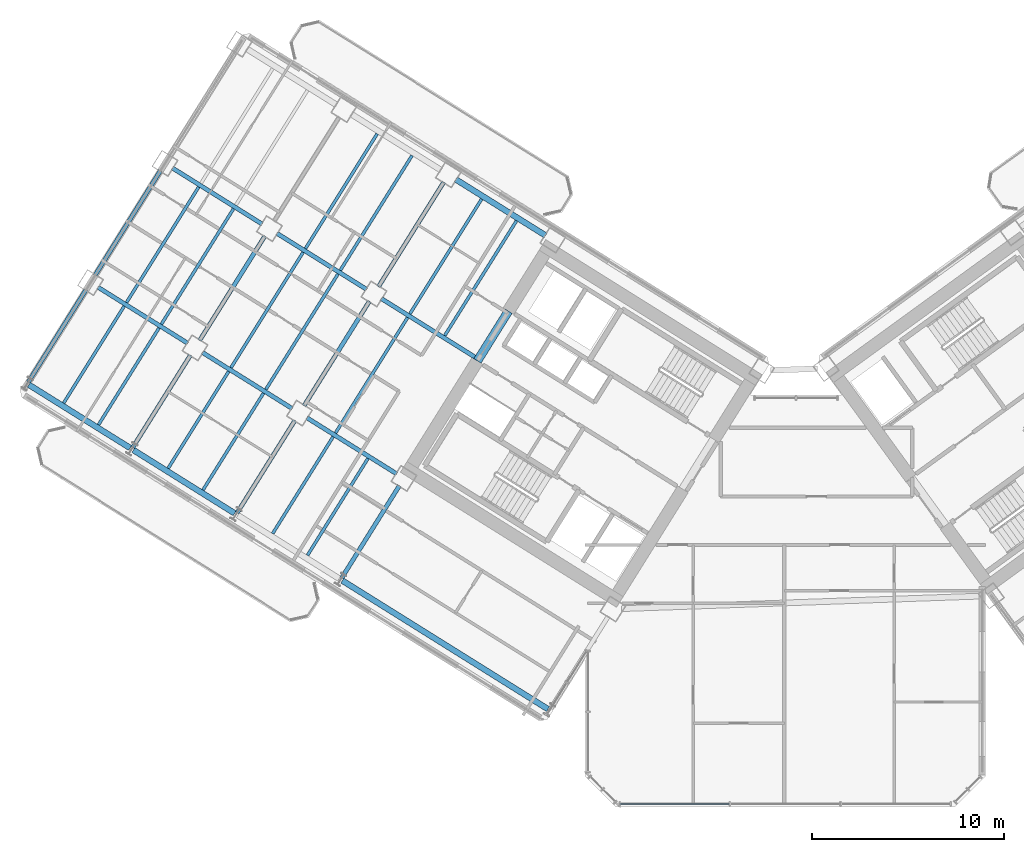
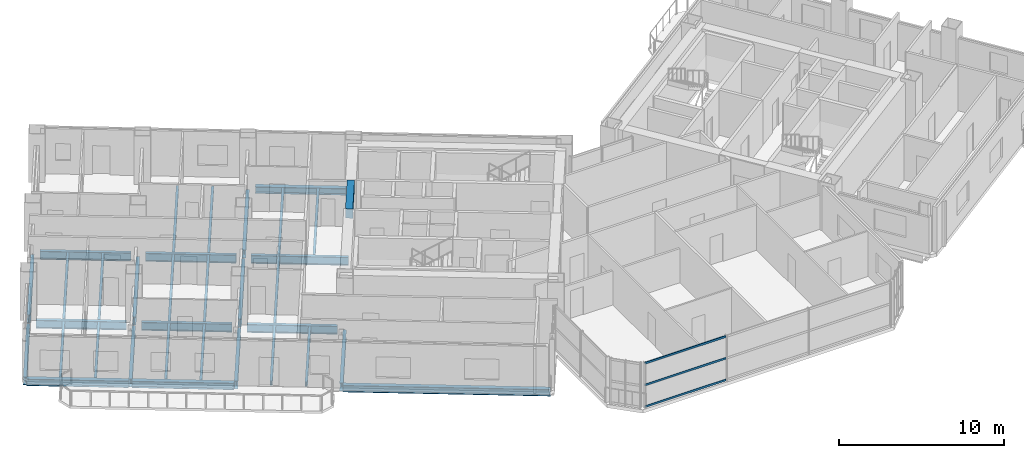
# One storey, part 6 of 28: 34 beams, 3 members, 1 element without a shape of its own.
"""IFC4 building model written with IfcOpenShell, lengths in metres."""

from ifc_helpers import new_model, si_unit, direction, frame, origin, origin_2d, place, context, subcontext, project, spatial, rectangle, hollow_rectangle, i_section, extrude, source, transform, mapped, material, material_profile, profile_set, type_object, element, aggregate, save


model = new_model("IFC4")

# Units and contexts
model_context = context("Model", 3, precision=1e-05, world=origin(), true_north=direction((0.0, 1.0)))
body_context = subcontext(model_context, "Body", "Model", "MODEL_VIEW")
ifc_project = project(units=[si_unit("LENGTHUNIT", "METRE"), si_unit("AREAUNIT", "SQUARE_METRE"), si_unit("VOLUMEUNIT", "CUBIC_METRE"), si_unit("PLANEANGLEUNIT", "RADIAN"), si_unit("MASSUNIT", "GRAM", prefix="KILO")], contexts=[model_context])

# Site, building, storey
site_placement = place(None, origin())
site = spatial("IfcSite", under=ifc_project, at=site_placement, CompositionType="ELEMENT")
building_placement = place(site_placement, origin())
building = spatial("IfcBuilding", under=site, at=building_placement, Name="Tlacorven Tower", CompositionType="ELEMENT")
storey_placement = place(building_placement, frame((0.0, 0.0, 49.199951171875)))
storey = spatial("IfcBuildingStorey", under=building, at=storey_placement, Name="L12", CompositionType="ELEMENT", Elevation=49.199951171875)

# Beams
ifc_material_1 = material(Name="Concrete C60/75", Category="concrete")
ifc_material_profile_1 = material_profile(ifc_material_1, rectangle(XDim=0.449951171875, YDim=0.699951171875, at=origin_2d()), Name="RC 450X700")
ifc_profile_set_1 = profile_set([ifc_material_profile_1], Name="Concrete C60/75")
beam_type_1 = type_object("IfcBeamType", Name="BM-LNT-700", PredefinedType="LINTEL", material=ifc_profile_set_1)
shared_shape_1 = source(origin(), body_context, "Body", "SweptSolid", [
    extrude(rectangle(XDim=0.449951171875, YDim=0.699951171875, at=origin_2d()), origin(), (0.0, 0.0, 1.0), 3.0498046875),
])
beam_1_placement = place(storey_placement, frame((27.622802734375, 27.562255859375, 3.0), z_axis=(-0.529926983584, -0.848043272522, 0.0), x_axis=(0.848043272522, -0.529926983584, 0.0)))
element("IfcBeam", 1, at=beam_1_placement, inside=storey, type_object=beam_type_1, Name="L12 W core coupling lintel beam E2", PredefinedType="LINTEL", context=body_context, shape_type="MappedRepresentation", body=[
    mapped(shared_shape_1, transform((0.0, 0.0, 0.0), scale=1.0)),
])
ifc_material_2 = material(Name="Steel S355J2", Category="steel")
ifc_material_profile_2 = material_profile(ifc_material_2, i_section(OverallWidth=0.300048828125, OverallDepth=0.489990234375, WebThickness=0.011962890625, FlangeThickness=0.02294921875, at=origin_2d()), Name="HEA 500")
ifc_profile_set_2 = profile_set([ifc_material_profile_2], Name="Steel S355J2")
beam_type_2 = type_object("IfcBeamType", Name="BM-SPN-500", PredefinedType="SPANDREL", material=ifc_profile_set_2)
shared_shape_2 = source(origin(), body_context, "Body", "SweptSolid", [
    extrude(i_section(OverallWidth=0.300048828125, OverallDepth=0.489990234375, WebThickness=0.011962890625, FlangeThickness=0.02294921875, at=origin_2d()), origin(), (0.0, 0.0, 1.0), 5.5),
])
beam_2_placement = place(storey_placement, frame((29.54638671875, 31.48974609375, -0.494873046875), z_axis=(-0.848050668838, 0.52991514706, 0.0), x_axis=(-0.52991514706, -0.848050668838, 0.0)))
element("IfcBeam", 2, at=beam_2_placement, inside=storey, type_object=beam_type_2, Name="L12 beam BM-L12-WL1-3", PredefinedType="SPANDREL", context=body_context, shape_type="MappedRepresentation", body=[
    mapped(shared_shape_2, transform((0.0, 0.0, 0.0), scale=1.0)),
])
ifc_material_profile_3 = material_profile(ifc_material_2, i_section(OverallWidth=0.219970703125, OverallDepth=0.60009765625, WebThickness=0.011962890625, FlangeThickness=0.01904296875, at=origin_2d()), Name="IPE 600")
ifc_profile_set_3 = profile_set([ifc_material_profile_3], Name="Steel S355J2")
beam_type_3 = type_object("IfcBeamType", Name="BM-TWR-600", PredefinedType="BEAM", material=ifc_profile_set_3)
shared_shape_3 = source(origin(), body_context, "Body", "SweptSolid", [
    extrude(i_section(OverallWidth=0.219970703125, OverallDepth=0.60009765625, WebThickness=0.011962890625, FlangeThickness=0.01904296875, at=origin_2d()), origin(), (0.0, 0.0, 1.0), 5.909912109375),
])
beam_3_placement = place(storey_placement, frame((26.025634765625, 25.081787109375, -0.550048828125), z_axis=(-0.848047036595, 0.529920959883, 0.0), x_axis=(-0.529920959883, -0.848047036595, 0.0)))
element("IfcBeam", 3, at=beam_3_placement, inside=storey, type_object=beam_type_3, Name="L12 beam BM-L12-WL2-3", PredefinedType="BEAM", context=body_context, shape_type="MappedRepresentation", body=[
    mapped(shared_shape_3, transform((0.0, 0.0, 0.0), scale=1.0)),
])
shared_shape_4 = source(origin(), body_context, "Body", "SweptSolid", [
    extrude(i_section(OverallWidth=0.219970703125, OverallDepth=0.60009765625, WebThickness=0.011962890625, FlangeThickness=0.01904296875, at=origin_2d()), origin(), (0.0, 0.0, 1.0), 5.5),
])
for number, where, z_axis, x_axis, name in (
    (4, (20.25048828125, 28.690673828125, -0.550048828125), (-0.848050668838, 0.52991514706, 0.0), (-0.52991514706, -0.848050668838, 0.0), "L12 beam BM-L12-WL2-4"),
    (5, (14.822998046875, 32.08203125, -0.550048828125), (-0.848050668838, 0.52991514706, 0.0), (-0.52991514706, -0.848050668838, 0.0), "L12 beam BM-L12-WL2-5"),
    (6, (21.8095703125, 19.1083984375, -0.550048828125), (-0.848050668838, 0.52991514706, 0.0), (-0.52991514706, -0.848050668838, 0.0), "L12 beam BM-L12-WL3-3"),
    (7, (16.382080078125, 22.499755859375, -0.550048828125), (-0.848050668838, 0.52991514706, 0.0), (-0.52991514706, -0.848050668838, 0.0), "L12 beam BM-L12-WL3-4"),
    (8, (10.95458984375, 25.891357421875, -0.550048828125), (-0.848050668838, 0.52991514706, 0.0), (-0.52991514706, -0.848050668838, 0.0), "L12 beam BM-L12-WL3-5"),
):
    element("IfcBeam", number, at=place(storey_placement, frame(where, z_axis=z_axis, x_axis=x_axis)), inside=storey, type_object=beam_type_3, Name=name, PredefinedType="BEAM", context=body_context, shape_type="MappedRepresentation", body=[
        mapped(shared_shape_4, transform((0.0, 0.0, 0.0), scale=1.0)),
    ])
shared_shape_5 = source(origin(), body_context, "Body", "SweptSolid", [
    extrude(i_section(OverallWidth=0.300048828125, OverallDepth=0.489990234375, WebThickness=0.011962890625, FlangeThickness=0.02294921875, at=origin_2d()), origin(), (0.0, 0.0, 1.0), 12.599853515625),
])
beam_4_placement = place(storey_placement, frame((29.67578125, 6.882080078125, -0.494873046875), z_axis=(-0.848045108756, 0.529924045043, 0.0), x_axis=(-0.529924045043, -0.848045108756, 0.0)))
element("IfcBeam", 9, at=beam_4_placement, inside=storey, type_object=beam_type_2, Name="L12 beam BM-L12-WL4-1", PredefinedType="SPANDREL", context=body_context, shape_type="MappedRepresentation", body=[
    mapped(shared_shape_5, transform((0.0, 0.0, 0.0), scale=1.0)),
])
shared_shape_6 = source(origin(), body_context, "Body", "SweptSolid", [
    extrude(i_section(OverallWidth=0.300048828125, OverallDepth=0.489990234375, WebThickness=0.011962890625, FlangeThickness=0.02294921875, at=origin_2d()), origin(), (0.0, 0.0, 1.0), 6.199951171875),
])
for number, where, z_axis, x_axis, name in (
    (10, (13.393310546875, 17.056396484375, -0.494873046875), (-0.848033697614, 0.529942306022, 0.0), (-0.529942306022, -0.848033697614, 0.0), "L12 beam BM-L12-WL4-4"),
    (11, (7.9658203125, 20.447998046875, -0.494873046875), (-0.848051394107, 0.529913986372, 0.0), (-0.529913986372, -0.848051394107, 0.0), "L12 beam BM-L12-WL4-5"),
):
    element("IfcBeam", number, at=place(storey_placement, frame(where, z_axis=z_axis, x_axis=x_axis)), inside=storey, type_object=beam_type_2, Name=name, PredefinedType="SPANDREL", context=body_context, shape_type="MappedRepresentation", body=[
        mapped(shared_shape_6, transform((0.0, 0.0, 0.0), scale=1.0)),
    ])
shared_shape_7 = source(origin(), body_context, "Body", "SweptSolid", [
    extrude(i_section(OverallWidth=0.219970703125, OverallDepth=0.60009765625, WebThickness=0.011962890625, FlangeThickness=0.01904296875, at=origin_2d()), origin(), (0.0, 0.0, 1.0), 5.650146484375),
])
for number, where, z_axis, x_axis, name in (
    (12, (21.95263671875, 18.48828125, -0.550048828125), (-0.529929025184, -0.848041996759, 0.0), (0.848041996759, -0.529929025184, 0.0), "L12 beam BM-L12-WT3-2"),
    (13, (16.525146484375, 21.879638671875, -0.550048828125), (-0.529929025184, -0.848041996759, 0.0), (0.848041996759, -0.529929025184, 0.0), "L12 beam BM-L12-WT4-3"),
    (14, (11.09765625, 25.271240234375, -0.550048828125), (-0.529929025184, -0.848041996759, 0.0), (0.848041996759, -0.529929025184, 0.0), "L12 beam BM-L12-WT5-3"),
    (15, (5.670166015625, 28.66259765625, -0.550048828125), (-0.529929025184, -0.848041996759, 0.0), (0.848041996759, -0.529929025184, 0.0), "L12 beam BM-L12-WT6-3"),
):
    element("IfcBeam", number, at=place(storey_placement, frame(where, z_axis=z_axis, x_axis=x_axis)), inside=storey, type_object=beam_type_3, Name=name, PredefinedType="BEAM", context=body_context, shape_type="MappedRepresentation", body=[
        mapped(shared_shape_7, transform((0.0, 0.0, 0.0), scale=1.0)),
    ])
shared_shape_8 = source(origin(), body_context, "Body", "SweptSolid", [
    extrude(i_section(OverallWidth=0.219970703125, OverallDepth=0.60009765625, WebThickness=0.011962890625, FlangeThickness=0.01904296875, at=origin_2d()), origin(), (0.0, 0.0, 1.0), 6.39990234375),
])
for number, where, z_axis, x_axis, name in (
    (16, (24.261962890625, 34.26123046875, -0.550048828125), (-0.529906354247, -0.848056163074, 0.0), (0.848056163074, -0.529906354247, 0.0), "L12 beam BM-L12-WT4-1"),
    (17, (20.3935546875, 28.070556640625, -0.550048828125), (-0.529906354247, -0.848056163074, 0.0), (0.848056163074, -0.529906354247, 0.0), "L12 beam BM-L12-WT4-2"),
):
    element("IfcBeam", number, at=place(storey_placement, frame(where, z_axis=z_axis, x_axis=x_axis)), inside=storey, type_object=beam_type_3, Name=name, PredefinedType="BEAM", context=body_context, shape_type="MappedRepresentation", body=[
        mapped(shared_shape_8, transform((0.0, 0.0, 0.0), scale=1.0)),
    ])
shared_shape_9 = source(origin(), body_context, "Body", "SweptSolid", [
    extrude(i_section(OverallWidth=0.219970703125, OverallDepth=0.60009765625, WebThickness=0.011962890625, FlangeThickness=0.01904296875, at=origin_2d()), origin(), (0.0, 0.0, 1.0), 6.400146484375),
])
for number, where, z_axis, x_axis, name in (
    (18, (14.966064453125, 31.4619140625, -0.550048828125), (-0.529933789039, -0.848039019877, 0.0), (0.848039019877, -0.529933789039, 0.0), "L12 beam BM-L12-WT5-2"),
    (19, (9.53857421875, 34.853515625, -0.550048828125), (-0.529933789039, -0.848039019877, 0.0), (0.848039019877, -0.529933789039, 0.0), "L12 beam BM-L12-WT6-2"),
):
    element("IfcBeam", number, at=place(storey_placement, frame(where, z_axis=z_axis, x_axis=x_axis)), inside=storey, type_object=beam_type_3, Name=name, PredefinedType="BEAM", context=body_context, shape_type="MappedRepresentation", body=[
        mapped(shared_shape_9, transform((0.0, 0.0, 0.0), scale=1.0)),
    ])
ifc_material_profile_4 = material_profile(ifc_material_2, i_section(OverallWidth=0.159912109375, OverallDepth=0.330078125, WebThickness=0.007568359375, FlangeThickness=0.011474609375, at=origin_2d()), Name="IPE 330")
ifc_profile_set_4 = profile_set([ifc_material_profile_4], Name="Steel S355J2")
beam_type_4 = type_object("IfcBeamType", Name="BM-JST-330", PredefinedType="JOIST", material=ifc_profile_set_4)
shared_shape_10 = source(origin(), body_context, "Body", "SweptSolid", [
    extrude(i_section(OverallWidth=0.159912109375, OverallDepth=0.330078125, WebThickness=0.007568359375, FlangeThickness=0.011474609375, at=origin_2d()), origin(), (0.0, 0.0, 1.0), 7.030029296875),
])
for number, where, z_axis, x_axis, name in (
    (20, (28.03662109375, 32.25048828125, -0.4150390625), (-0.529911532383, -0.848052927504, 0.0), (0.848052927504, -0.529911532383, 0.0), "L12 beam BM-L12-WJ3-1-1"),
    (21, (26.2275390625, 33.380859375, -0.4150390625), (-0.529927139185, -0.84804317529, 0.0), (0.84804317529, -0.529927139185, 0.0), "L12 beam BM-L12-WJ3-1-2"),
    (22, (22.609130859375, 35.641845703125, -0.4150390625), (-0.529927139185, -0.84804317529, 0.0), (0.84804317529, -0.529927139185, 0.0), "L12 beam BM-L12-WJ4-1-1"),
    (23, (20.800048828125, 36.7724609375, -0.4150390625), (-0.529911532383, -0.848052927504, 0.0), (0.848052927504, -0.529911532383, 0.0), "L12 beam BM-L12-WJ4-1-2"),
):
    element("IfcBeam", number, at=place(storey_placement, frame(where, z_axis=z_axis, x_axis=x_axis)), inside=storey, type_object=beam_type_4, Name=name, PredefinedType="JOIST", context=body_context, shape_type="MappedRepresentation", body=[
        mapped(shared_shape_10, transform((0.0, 0.0, 0.0), scale=1.0)),
    ])
shared_shape_11 = source(origin(), body_context, "Body", "SweptSolid", [
    extrude(i_section(OverallWidth=0.159912109375, OverallDepth=0.330078125, WebThickness=0.007568359375, FlangeThickness=0.011474609375, at=origin_2d()), origin(), (0.0, 0.0, 1.0), 5.93017578125),
])
for number, where, z_axis, x_axis, name in (
    (24, (20.321044921875, 19.90283203125, -0.4150390625), (-0.529899018132, -0.848060746989, 0.0), (0.848060746989, -0.529899018132, 0.0), "L12 beam BM-L12-WJ3-3-1"),
    (25, (18.51171875, 21.033447265625, -0.4150390625), (-0.529899018132, -0.848060746989, 0.0), (0.848060746989, -0.529899018132, 0.0), "L12 beam BM-L12-WJ3-3-2"),
    (26, (9.466064453125, 26.685791015625, -0.4150390625), (-0.529928626913, -0.848042245633, 0.0), (0.848042245633, -0.529928626913, 0.0), "L12 beam BM-L12-WJ5-3-1"),
    (27, (7.65673828125, 27.81640625, -0.4150390625), (-0.529899018132, -0.848060746989, 0.0), (0.848060746989, -0.529899018132, 0.0), "L12 beam BM-L12-WJ5-3-2"),
):
    element("IfcBeam", number, at=place(storey_placement, frame(where, z_axis=z_axis, x_axis=x_axis)), inside=storey, type_object=beam_type_4, Name=name, PredefinedType="JOIST", context=body_context, shape_type="MappedRepresentation", body=[
        mapped(shared_shape_11, transform((0.0, 0.0, 0.0), scale=1.0)),
    ])
shared_shape_12 = source(origin(), body_context, "Body", "SweptSolid", [
    extrude(i_section(OverallWidth=0.159912109375, OverallDepth=0.330078125, WebThickness=0.007568359375, FlangeThickness=0.011474609375, at=origin_2d()), origin(), (0.0, 0.0, 1.0), 7.070068359375),
])
for number, where, z_axis, x_axis, name in (
    (28, (22.380126953125, 27.22412109375, -0.4150390625), (-0.529890296319, -0.84806619663, 0.0), (0.84806619663, -0.529890296319, 0.0), "L12 beam BM-L12-WJ3-2-2"),
    (29, (18.761962890625, 29.485107421875, -0.4150390625), (-0.529915131461, -0.848050678585, 0.0), (0.848050678585, -0.529915131461, 0.0), "L12 beam BM-L12-WJ4-2-1"),
    (30, (13.33447265625, 32.87646484375, -0.4150390625), (-0.529930649952, -0.848040981463, 0.0), (0.848040981463, -0.529930649952, 0.0), "L12 beam BM-L12-WJ5-2-1"),
    (31, (11.525146484375, 34.007080078125, -0.4150390625), (-0.529930649952, -0.848040981463, 0.0), (0.848040981463, -0.529930649952, 0.0), "L12 beam BM-L12-WJ5-2-2"),
):
    element("IfcBeam", number, at=place(storey_placement, frame(where, z_axis=z_axis, x_axis=x_axis)), inside=storey, type_object=beam_type_4, Name=name, PredefinedType="JOIST", context=body_context, shape_type="MappedRepresentation", body=[
        mapped(shared_shape_12, transform((0.0, 0.0, 0.0), scale=1.0)),
    ])
shared_shape_13 = source(origin(), body_context, "Body", "SweptSolid", [
    extrude(i_section(OverallWidth=0.159912109375, OverallDepth=0.330078125, WebThickness=0.007568359375, FlangeThickness=0.011474609375, at=origin_2d()), origin(), (0.0, 0.0, 1.0), 5.929931640625),
])
for number, where, z_axis, x_axis, name in (
    (32, (14.8935546875, 23.294189453125, -0.4150390625), (-0.529917519894, -0.848049186138, 0.0), (0.848049186138, -0.529917519894, 0.0), "L12 beam BM-L12-WJ4-3-1"),
    (33, (13.084228515625, 24.4248046875, -0.4150390625), (-0.529917519894, -0.848049186138, 0.0), (0.848049186138, -0.529917519894, 0.0), "L12 beam BM-L12-WJ4-3-2"),
):
    element("IfcBeam", number, at=place(storey_placement, frame(where, z_axis=z_axis, x_axis=x_axis)), inside=storey, type_object=beam_type_4, Name=name, PredefinedType="JOIST", context=body_context, shape_type="MappedRepresentation", body=[
        mapped(shared_shape_13, transform((0.0, 0.0, 0.0), scale=1.0)),
    ])
shared_shape_14 = source(origin(), body_context, "Body", "SweptSolid", [
    extrude(i_section(OverallWidth=0.159912109375, OverallDepth=0.330078125, WebThickness=0.007568359375, FlangeThickness=0.011474609375, at=origin_2d()), origin(), (0.0, 0.0, 1.0), 7.06982421875),
])
beam_5_placement = place(storey_placement, frame((16.95263671875, 30.615478515625, -0.4150390625), z_axis=(-0.52990581465, -0.84805650024, 0.0), x_axis=(0.84805650024, -0.52990581465, 0.0)))
element("IfcBeam", 34, at=beam_5_placement, inside=storey, type_object=beam_type_4, Name="L12 beam BM-L12-WJ4-2-2", PredefinedType="JOIST", context=body_context, shape_type="MappedRepresentation", body=[
    mapped(shared_shape_14, transform((0.0, 0.0, 0.0), scale=1.0)),
])

# Curtain wall, members
ifc_material_3 = material(Name="Dark solar low-E double glazing in aluminium frame", Category="aluminium")
curtain_wall_type = type_object("IfcCurtainWallType", Name="CW-TWR-LOW", PredefinedType="USERDEFINED", material=ifc_material_3)
curtain_wall_placement = place(storey_placement, origin())
curtain_wall = element("IfcCurtainWall", 35, at=curtain_wall_placement, inside=storey, type_object=curtain_wall_type, Name="L12 CW-TWR-LOW Curtain Wall 64", ObjectType="UNITISED CURTAIN WALL", PredefinedType="USERDEFINED")
ifc_material_4 = material(Name="Aluminium 6063-T6 anodised", Category="aluminium")
ifc_material_profile_5 = material_profile(ifc_material_4, hollow_rectangle(XDim=0.06005859375, YDim=0.139892578125, WallThickness=0.00390625, at=origin_2d()), Name="ALU TRANSOM 60X140")
ifc_profile_set_5 = profile_set([ifc_material_profile_5], Name="Aluminium 6063-T6 anodised")
member_type = type_object("IfcMemberType", Name="CWT-02", PredefinedType="USERDEFINED", material=ifc_profile_set_5)
shared_shape_15 = source(origin(), body_context, "Body", "SweptSolid", [
    extrude(hollow_rectangle(XDim=0.06005859375, YDim=0.139892578125, WallThickness=0.00390625, at=origin_2d()), origin(), (0.0, 0.0, 1.0), 5.6748046875),
])
member_1_placement = place(storey_placement, frame((39.09912109375, 1.9599609375, 0.070068359375), z_axis=(-1.0, 0.0, 0.0), x_axis=(0.0, -1.0, 0.0)))
member_1 = element("IfcMember", 36, at=member_1_placement, type_object=member_type, Name="CW-L12-064 Transom 7", ObjectType="TRANSOM", PredefinedType="USERDEFINED", context=body_context, shape_type="MappedRepresentation", body=[
    mapped(shared_shape_15, transform((0.0, 0.0, 0.0), scale=1.0)),
])
member_2_placement = place(storey_placement, frame((39.09912109375, 1.9599609375, 1.675048828125), z_axis=(-1.0, 0.0, 0.0), x_axis=(0.0, -1.0, 0.0)))
member_2 = element("IfcMember", 37, at=member_2_placement, type_object=member_type, Name="CW-L12-064 Transom 8", ObjectType="TRANSOM", PredefinedType="USERDEFINED", context=body_context, shape_type="MappedRepresentation", body=[
    mapped(shared_shape_15, transform((0.0, 0.0, 0.0), scale=1.0)),
])
member_3_placement = place(storey_placement, frame((39.09912109375, 1.9599609375, 3.280029296875), z_axis=(-1.0, 0.0, 0.0), x_axis=(0.0, -1.0, 0.0)))
member_3 = element("IfcMember", 38, at=member_3_placement, type_object=member_type, Name="CW-L12-064 Transom 9", ObjectType="TRANSOM", PredefinedType="USERDEFINED", context=body_context, shape_type="MappedRepresentation", body=[
    mapped(shared_shape_15, transform((0.0, 0.0, 0.0), scale=1.0)),
])
aggregate(curtain_wall, [member_1, member_2, member_3])

save(model, "model.ifc")
